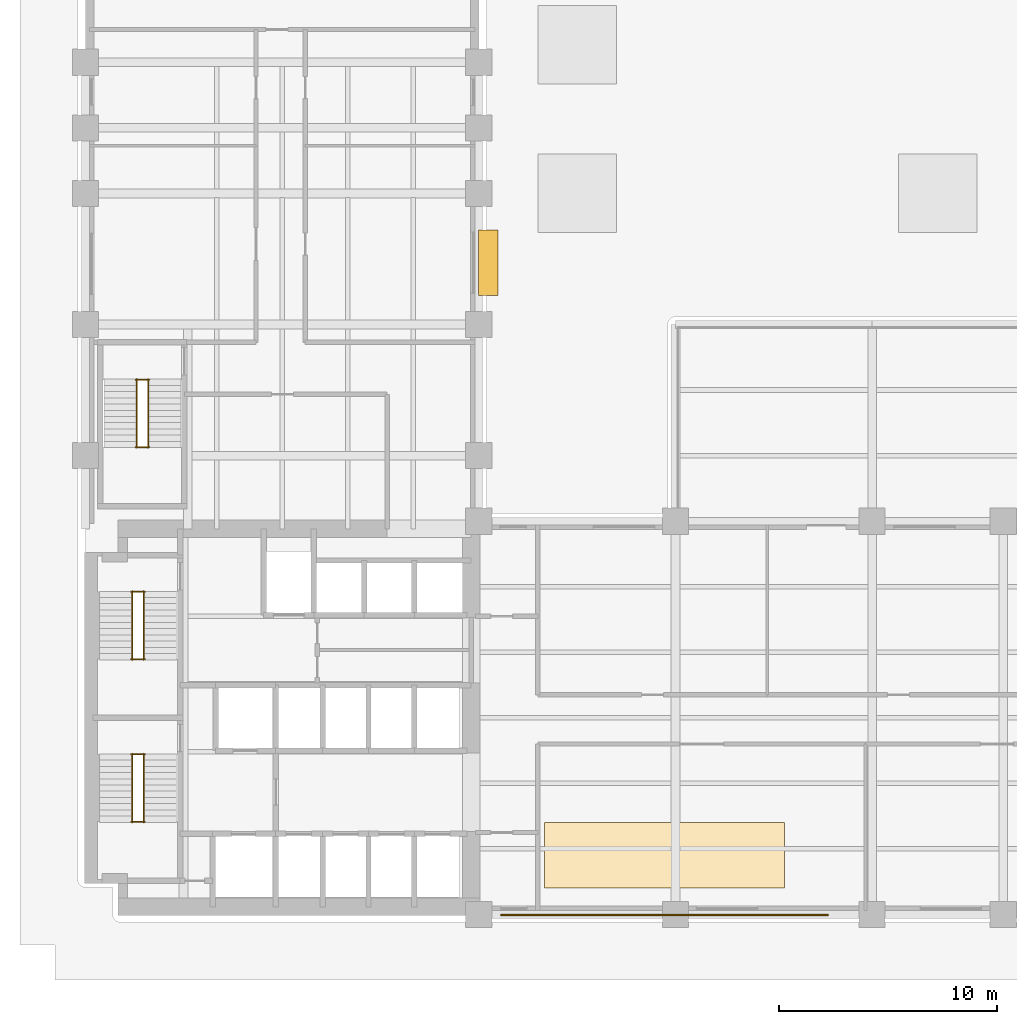
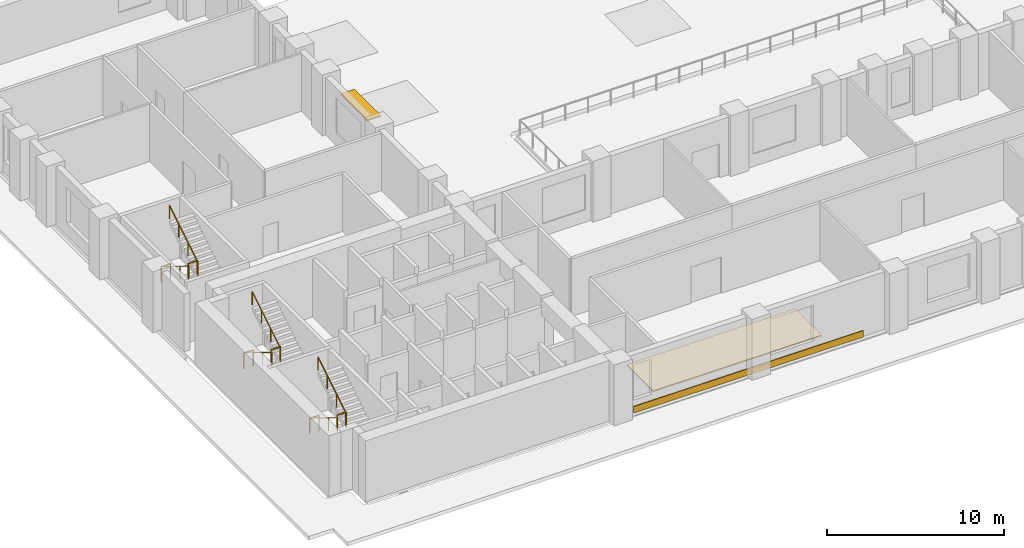
# One storey, part 8 of 9: 12 railings, 2 coverings, 1 shading device.
"""IFC4 building model written with IfcOpenShell, lengths in metres."""

import ifcopenshell
import ifcopenshell.guid

model = None  # the IFC model being written
_history = None  # IfcOwnerHistory: only IFC2X3 demands one
_inside = {}  # id of a spatial element -> (the spatial element, [elements in it])
_under = {}  # id of a project, library or spatial element -> (it, [spatial elements below it])
_declared = {}  # id of a project -> (the project, [libraries it declares])
_typed = {}  # id of a type object -> (the type object, [elements of that type])
_made_of = {}  # id of a material, layer set ... -> (it, [elements and type objects made of it])


def new_model(schema):
    """Start an empty IFC model of exactly this schema.

    Asked for "IFC4X3", IfcOpenShell would pick the latest addendum, in which some entities
    have other attributes; the version numbers below select the first issue.
    IFC2X3 requires an IfcOwnerHistory on every rooted entity: one is made here for all.
    """
    global model, _history
    if schema == "IFC4X3":
        model = ifcopenshell.file(schema_version=(4, 3, 0, 0))
    else:
        model = ifcopenshell.file(schema=schema)
    _inside.clear()
    _under.clear()
    _declared.clear()
    _typed.clear()
    _made_of.clear()
    _history = None
    if model.schema == "IFC2X3":
        org = make("IfcOrganization", Name="unknown")
        user = make(
            "IfcPersonAndOrganization",
            ThePerson=make("IfcPerson", FamilyName="unknown"),
            TheOrganization=org,
        )
        app = make(
            "IfcApplication",
            ApplicationDeveloper=org,
            Version="unknown",
            ApplicationFullName="unknown",
            ApplicationIdentifier="unknown",
        )
        _history = make(
            "IfcOwnerHistory",
            OwningUser=user,
            OwningApplication=app,
            ChangeAction="ADDED",
            CreationDate=0,
        )
    return model


def make(cls, **values):
    """One entity of the class cls with the attributes given. An attribute that is None is left unset."""
    return model.create_entity(
        cls, **{name: value for name, value in values.items() if value is not None}
    )


def rooted(cls, **values):
    """An entity with a GlobalId (a new one), such as an element, a storey or a relation."""
    return make(cls, GlobalId=ifcopenshell.guid.new(), OwnerHistory=_history, **values)


def si_unit(unit_type, name, prefix=None):
    """IfcSIUnit, for example si_unit("LENGTHUNIT", "METRE", prefix="MILLI")."""
    return make("IfcSIUnit", UnitType=unit_type, Prefix=prefix, Name=name)


def assignment(units):
    """IfcUnitAssignment: the units of a project."""
    return None if units is None else make("IfcUnitAssignment", Units=units)


def point(xyz):
    """IfcCartesianPoint."""
    return None if xyz is None else make("IfcCartesianPoint", Coordinates=xyz)


def direction(xyz):
    """IfcDirection."""
    return None if xyz is None else make("IfcDirection", DirectionRatios=xyz)


def frame(location, z_axis=None, x_axis=None):
    """IfcAxis2Placement3D, a coordinate frame: its origin and axes. An axis left out is left unset."""
    return make(
        "IfcAxis2Placement3D",
        Location=point(location),
        Axis=direction(z_axis),
        RefDirection=direction(x_axis),
    )


def frame_2d(location, x_axis=None):
    """IfcAxis2Placement2D, a coordinate frame in the plane: its origin and x axis."""
    return make(
        "IfcAxis2Placement2D", Location=point(location), RefDirection=direction(x_axis)
    )


def origin():
    """The frame at (0, 0, 0) with its axes left unset."""
    return frame((0.0, 0.0, 0.0))


def origin_2d():
    """The frame at (0, 0) in the plane with its x axis left unset."""
    return frame_2d((0.0, 0.0))


def place(relative_to, where):
    """IfcLocalPlacement: puts the frame where relative to a parent placement (None: the world)."""
    return make(
        "IfcLocalPlacement", PlacementRelTo=relative_to, RelativePlacement=where
    )


def context(
    kind, dimensions, precision=None, world=None, true_north=None, identifier=None
):
    """IfcGeometricRepresentationContext, for example the 3D "Model" context."""
    return make(
        "IfcGeometricRepresentationContext",
        ContextIdentifier=identifier,
        ContextType=kind,
        CoordinateSpaceDimension=dimensions,
        Precision=precision,
        WorldCoordinateSystem=world,
        TrueNorth=true_north,
    )


def subcontext(parent, identifier, kind, view, scale=None):
    """IfcGeometricRepresentationSubContext, for example "Body" below "Model"."""
    return make(
        "IfcGeometricRepresentationSubContext",
        ContextIdentifier=identifier,
        ContextType=kind,
        ParentContext=parent,
        TargetScale=scale,
        TargetView=view,
    )


def project(units=None, contexts=None):
    """IfcProject with its units and contexts."""
    return rooted(
        "IfcProject",
        Name="project",
        RepresentationContexts=contexts,
        UnitsInContext=assignment(units),
    )


def spatial(cls, under=None, at=None, **own):
    """A site, building, storey or space (cls), placed at a placement, below another one or the project."""
    s = rooted(cls, ObjectPlacement=at, **own)
    if under is not None:
        _under.setdefault(under.id(), (under, []))[1].append(s)
    return s


def polyline(points):
    """IfcPolyline through the points."""
    return make("IfcPolyline", Points=[point(p) for p in points])


def profile(cls, at=None, kind="AREA", **sizes):
    """A parametric profile (cls). Its sizes go by their IFC names, for example OverallWidth=200.0."""
    return make(cls, ProfileType=kind, Position=at, **sizes)


def rectangle(**sizes):
    """IfcRectangleProfileDef."""
    return profile("IfcRectangleProfileDef", **sizes)


def circle(**sizes):
    """IfcCircleProfileDef."""
    return profile("IfcCircleProfileDef", **sizes)


def outline(outer, holes=None, kind="AREA"):
    """IfcArbitraryClosedProfileDef: a profile drawn as a closed curve; with holes, ...WithVoids."""
    if holes is None:
        return make("IfcArbitraryClosedProfileDef", ProfileType=kind, OuterCurve=outer)
    return make(
        "IfcArbitraryProfileDefWithVoids",
        ProfileType=kind,
        OuterCurve=outer,
        InnerCurves=holes,
    )


def extrude(swept, where, along, depth):
    """IfcExtrudedAreaSolid: the profile swept, set in the frame where, extruded along a direction by depth."""
    return make(
        "IfcExtrudedAreaSolid",
        SweptArea=swept,
        Position=where,
        ExtrudedDirection=direction(along),
        Depth=depth,
    )


def shape(context_of_items, identifier, shape_type, items):
    """IfcShapeRepresentation: the items that make up one representation, for example the "Body"."""
    return make(
        "IfcShapeRepresentation",
        ContextOfItems=context_of_items,
        RepresentationIdentifier=identifier,
        RepresentationType=shape_type,
        Items=items,
    )


def material(Name=None, Category=None):
    """IfcMaterial."""
    return make("IfcMaterial", Name=Name, Category=Category)


def layer(
    of_material, thickness, ventilated=None, Name=None, Category=None, Priority=None
):
    """IfcMaterialLayer: one layer of a wall or slab, of a material (None: an air gap)."""
    return make(
        "IfcMaterialLayer",
        Material=of_material,
        LayerThickness=thickness,
        IsVentilated=ventilated,
        Name=Name,
        Category=Category,
        Priority=Priority,
    )


def layer_set(layers, Name=None):
    """IfcMaterialLayerSet."""
    return make("IfcMaterialLayerSet", MaterialLayers=layers, LayerSetName=Name)


def made_of(thing, what):
    """Note that an element or type object is made of a material, layer set ...; save() writes the relation."""
    if what is not None:
        _made_of.setdefault(what.id(), (what, []))[1].append(thing)
    return thing


def type_object(cls, material=None, **own):
    """A type object (cls), such as IfcWallType, which elements share."""
    return made_of(rooted(cls, **own), material)


def element(
    cls,
    number,
    at=None,
    inside=None,
    cuts=None,
    type_object=None,
    material=None,
    context=None,
    identifier="Body",
    shape_type=None,
    held_by="IfcProductDefinitionShape",
    body=None,
    shapes=None,
    **own,
):
    """One element of the class cls, such as IfcWall. Its Tag is "e" and its number.

    at: its placement. inside: the storey or other place that contains it. cuts: it is an
    opening in that element (IfcRelVoidsElement). A single representation is given by context,
    identifier, shape_type and body (its items); several are given by shapes. held_by: the class
    of the entity that holds the representations. save() writes the other relations.
    """
    e = rooted(cls, Tag="e%d" % number, ObjectPlacement=at, **own)
    if body is not None:
        shapes = [shape(context, identifier, shape_type, body)]
    if shapes is not None:
        e.Representation = make(held_by, Representations=shapes)
    if inside is not None:
        _inside.setdefault(inside.id(), (inside, []))[1].append(e)
    if cuts is not None:
        rooted(
            "IfcRelVoidsElement", RelatingBuildingElement=cuts, RelatedOpeningElement=e
        )
    if type_object is not None:
        _typed.setdefault(type_object.id(), (type_object, []))[1].append(e)
    return made_of(e, material)


def aggregate(whole, parts):
    """IfcRelAggregates: a whole, such as a stair, and the parts it consists of."""
    return rooted("IfcRelAggregates", RelatingObject=whole, RelatedObjects=parts)


def save(model, path):
    """Write the relations noted so far, then the file.

    IfcRelAggregates (storeys below a building ...), IfcRelContainedInSpatialStructure (elements
    in a storey), IfcRelDefinesByType, IfcRelAssociatesMaterial and IfcRelDeclares: one each for
    every whole, place, type object, material and project.
    """
    for whole, parts in _under.values():
        aggregate(whole, parts)
    for where, things in _inside.values():
        rooted(
            "IfcRelContainedInSpatialStructure",
            RelatedElements=things,
            RelatingStructure=where,
        )
    for kind, things in _typed.values():
        rooted("IfcRelDefinesByType", RelatedObjects=things, RelatingType=kind)
    for what, things in _made_of.values():
        rooted("IfcRelAssociatesMaterial", RelatedObjects=things, RelatingMaterial=what)
    for by, libraries in _declared.values():
        rooted("IfcRelDeclares", RelatingContext=by, RelatedDefinitions=libraries)
    model.write(path)


model = new_model("IFC4")

# Units and contexts
model_context = context("Model", 3, precision=1e-05, world=origin(), true_north=direction((0.0, 1.0)))
body_context = subcontext(model_context, "Body", "Model", "MODEL_VIEW")
ifc_project = project(units=[si_unit("LENGTHUNIT", "METRE"), si_unit("AREAUNIT", "SQUARE_METRE"), si_unit("VOLUMEUNIT", "CUBIC_METRE"), si_unit("PLANEANGLEUNIT", "RADIAN"), si_unit("MASSUNIT", "GRAM", prefix="KILO")], contexts=[model_context])

# Site, building, storey
site_placement = place(None, origin())
site = spatial("IfcSite", under=ifc_project, at=site_placement, CompositionType="ELEMENT")
building_placement = place(site_placement, origin())
building = spatial("IfcBuilding", under=site, at=building_placement, Name="Mawjdan Bourse Tower", CompositionType="ELEMENT")
storey_placement = place(building_placement, frame((0.0, 0.0, 21.60009765625)))
storey = spatial("IfcBuildingStorey", under=building, at=storey_placement, Name="L04", CompositionType="ELEMENT", Elevation=21.60009765625)

# Coverings
ifc_material_1 = material(Name="Honed Qatari Limestone Coping", Category="masonry")
ifc_layer_1 = layer(ifc_material_1, 0.054931640625)
ifc_layer_set_1 = layer_set([ifc_layer_1], Name="Honed Qatari Limestone Coping")
covering_type_1 = type_object("IfcCoveringType", Name="COV-CLD-SPN", PredefinedType="CLADDING", material=ifc_layer_set_1)
covering_1_placement = place(storey_placement, origin())
element("IfcCovering", 1, at=covering_1_placement, inside=storey, type_object=covering_type_1, Name="L04 Limestone Spandrel Coping Trim", PredefinedType="CLADDING", context=body_context, shape_type="SweptSolid", body=[
    extrude(outline(polyline([(25.0, 2.949951171875), (40.0, 2.949951171875), (40.0, 3.010009765625), (25.0, 3.010009765625), (25.0, 2.949951171875)])), origin(), (0.0, 0.0, 1.0), 0.449951171875),
])
ifc_material_2 = material(Name="Calcium Sulphate Antistatic Raised Floor Tile")
ifc_layer_2 = layer(ifc_material_2, 0.080078125)
ifc_layer_set_2 = layer_set([ifc_layer_2], Name="Calcium Sulphate Antistatic Raised Floor Tile")
covering_type_2 = type_object("IfcCoveringType", Name="COV-FLR-450", PredefinedType="FLOORING", material=ifc_layer_set_2)
covering_2_placement = place(storey_placement, origin())
element("IfcCovering", 2, at=covering_2_placement, inside=storey, type_object=covering_type_2, Name="L04 Antistatic Raised Access Trading Floor", PredefinedType="FLOORING", context=body_context, shape_type="SweptSolid", body=[
    extrude(outline(polyline([(27.0, 4.199951171875), (38.0, 4.199951171875), (38.0, 7.199951171875), (27.0, 7.199951171875), (27.0, 4.199951171875)])), origin(), (0.0, 0.0, 1.0), 0.079833984375),
])

# Railings
ifc_material_3 = material(Name="Structural Steel S355", Category="steel")
railing_type_1 = type_object("IfcRailingType", Name="RLG-GRD-1100", PredefinedType="GUARDRAIL", material=ifc_material_3)
for number, where, name in (
    (3, (8.090087890625, 7.235107421875, 2.099853515625), "L04 ST1 Landing Guardrail GL-MID"),
    (4, (8.090087890625, 10.330078125, 0.0), "L04 ST1 Landing Guardrail GL-BOT"),
    (5, (8.090087890625, 14.675048828125, 2.099853515625), "L04 ST2 Landing Guardrail GL-MID"),
    (6, (8.090087890625, 17.77001953125, 0.0), "L04 ST2 Landing Guardrail GL-BOT"),
    (7, (8.2900390625, 24.385009765625, 2.099853515625), "L04 ST3 Landing Guardrail GL-MID"),
    (8, (8.2900390625, 27.47998046875, 0.0), "L04 ST3 Landing Guardrail GL-BOT"),
):
    element("IfcRailing", number, at=place(storey_placement, frame(where)), inside=storey, type_object=railing_type_1, Name=name, PredefinedType="GUARDRAIL", context=body_context, shape_type="SweptSolid", body=[
        extrude(circle(Radius=0.02490234375, at=origin_2d()), frame((0.0, 0.0, 1.0751953125), z_axis=(1.0, 0.0, 0.0), x_axis=(0.0, 1.0, 0.0)), (0.0, 0.0, 1.0), 0.619873046875),
        extrude(circle(Radius=0.02099609375, at=origin_2d()), origin(), (0.0, 0.0, 1.0), 1.050048828125),
        extrude(circle(Radius=0.02099609375, at=origin_2d()), frame((0.619873046875, 0.0, 0.0)), (0.0, 0.0, 1.0), 1.050048828125),
    ])
ifc_material_4 = material(Name="Brushed Stainless Steel", Category="steel")
railing_type_2 = type_object("IfcRailingType", Name="RLG-HND-920", PredefinedType="HANDRAIL", material=ifc_material_4)
railing_1_placement = place(storey_placement, frame((8.139892578125, 10.35009765625, 0.1748046875)))
element("IfcRailing", 9, at=railing_1_placement, inside=storey, type_object=railing_type_2, Name="L04 ST1 Flight Handrail HR1", PredefinedType="HANDRAIL", context=body_context, shape_type="SweptSolid", body=[
    extrude(circle(Radius=0.0224609375, at=origin_2d()), frame((0.0, 0.0, 0.8974609375), z_axis=(0.0, -0.852166034122, 0.523271488128), x_axis=(1.0, 0.0, 0.0)), (0.0, 0.0, 1.0), 3.678955078125),
    extrude(circle(Radius=0.01904296875, at=origin_2d()), origin(), (0.0, 0.0, 1.0), 0.875),
    extrude(circle(Radius=0.01904296875, at=origin_2d()), frame((0.0, -1.044921875, 0.6416015625)), (0.0, 0.0, 1.0), 0.875),
    extrude(circle(Radius=0.01904296875, at=origin_2d()), frame((0.0, -2.090087890625, 1.283447265625)), (0.0, 0.0, 1.0), 0.875),
    extrude(circle(Radius=0.01904296875, at=origin_2d()), frame((0.0, -3.135009765625, 1.925048828125)), (0.0, 0.0, 1.0), 0.875),
])
railing_2_placement = place(storey_placement, frame((8.659912109375, 7.215087890625, 2.27490234375)))
element("IfcRailing", 10, at=railing_2_placement, inside=storey, type_object=railing_type_2, Name="L04 ST1 Flight Handrail HR2", PredefinedType="HANDRAIL", context=body_context, shape_type="SweptSolid", body=[
    extrude(circle(Radius=0.0224609375, at=origin_2d()), frame((0.0, 0.0, 0.8974609375), z_axis=(0.0, 0.852166034122, 0.523271488128), x_axis=(-1.0, 0.0, 0.0)), (0.0, 0.0, 1.0), 3.678955078125),
    extrude(circle(Radius=0.01904296875, at=origin_2d()), origin(), (0.0, 0.0, 1.0), 0.875),
    extrude(circle(Radius=0.01904296875, at=origin_2d()), frame((0.0, 1.044921875, 0.6416015625)), (0.0, 0.0, 1.0), 0.875),
    extrude(circle(Radius=0.01904296875, at=origin_2d()), frame((0.0, 2.090087890625, 1.283447265625)), (0.0, 0.0, 1.0), 0.875),
    extrude(circle(Radius=0.01904296875, at=origin_2d()), frame((0.0, 3.135009765625, 1.925048828125)), (0.0, 0.0, 1.0), 0.875),
])
railing_3_placement = place(storey_placement, frame((8.139892578125, 17.7900390625, 0.1748046875)))
element("IfcRailing", 11, at=railing_3_placement, inside=storey, type_object=railing_type_2, Name="L04 ST2 Flight Handrail HR1", PredefinedType="HANDRAIL", context=body_context, shape_type="SweptSolid", body=[
    extrude(circle(Radius=0.0224609375, at=origin_2d()), frame((0.0, 0.0, 0.8974609375), z_axis=(0.0, -0.852166034122, 0.523271488128), x_axis=(1.0, 0.0, 0.0)), (0.0, 0.0, 1.0), 3.678955078125),
    extrude(circle(Radius=0.01904296875, at=origin_2d()), origin(), (0.0, 0.0, 1.0), 0.875),
    extrude(circle(Radius=0.01904296875, at=origin_2d()), frame((0.0, -1.044921875, 0.6416015625)), (0.0, 0.0, 1.0), 0.875),
    extrude(circle(Radius=0.01904296875, at=origin_2d()), frame((0.0, -2.090087890625, 1.283447265625)), (0.0, 0.0, 1.0), 0.875),
    extrude(circle(Radius=0.01904296875, at=origin_2d()), frame((0.0, -3.135009765625, 1.925048828125)), (0.0, 0.0, 1.0), 0.875),
])
railing_4_placement = place(storey_placement, frame((8.659912109375, 14.655029296875, 2.27490234375)))
element("IfcRailing", 12, at=railing_4_placement, inside=storey, type_object=railing_type_2, Name="L04 ST2 Flight Handrail HR2", PredefinedType="HANDRAIL", context=body_context, shape_type="SweptSolid", body=[
    extrude(circle(Radius=0.0224609375, at=origin_2d()), frame((0.0, 0.0, 0.8974609375), z_axis=(0.0, 0.852166034122, 0.523271488128), x_axis=(-1.0, 0.0, 0.0)), (0.0, 0.0, 1.0), 3.678955078125),
    extrude(circle(Radius=0.01904296875, at=origin_2d()), origin(), (0.0, 0.0, 1.0), 0.875),
    extrude(circle(Radius=0.01904296875, at=origin_2d()), frame((0.0, 1.044921875, 0.6416015625)), (0.0, 0.0, 1.0), 0.875),
    extrude(circle(Radius=0.01904296875, at=origin_2d()), frame((0.0, 2.090087890625, 1.283447265625)), (0.0, 0.0, 1.0), 0.875),
    extrude(circle(Radius=0.01904296875, at=origin_2d()), frame((0.0, 3.135009765625, 1.925048828125)), (0.0, 0.0, 1.0), 0.875),
])
railing_5_placement = place(storey_placement, frame((8.340087890625, 27.5, 0.1748046875)))
element("IfcRailing", 13, at=railing_5_placement, inside=storey, type_object=railing_type_2, Name="L04 ST3 Flight Handrail HR1", PredefinedType="HANDRAIL", context=body_context, shape_type="SweptSolid", body=[
    extrude(circle(Radius=0.0224609375, at=origin_2d()), frame((0.0, 0.0, 0.8974609375), z_axis=(0.0, -0.852166034122, 0.523271488128), x_axis=(1.0, 0.0, 0.0)), (0.0, 0.0, 1.0), 3.678955078125),
    extrude(circle(Radius=0.01904296875, at=origin_2d()), origin(), (0.0, 0.0, 1.0), 0.875),
    extrude(circle(Radius=0.01904296875, at=origin_2d()), frame((0.0, -1.044921875, 0.6416015625)), (0.0, 0.0, 1.0), 0.875),
    extrude(circle(Radius=0.01904296875, at=origin_2d()), frame((0.0, -2.090087890625, 1.283447265625)), (0.0, 0.0, 1.0), 0.875),
    extrude(circle(Radius=0.01904296875, at=origin_2d()), frame((0.0, -3.135009765625, 1.925048828125)), (0.0, 0.0, 1.0), 0.875),
])
railing_6_placement = place(storey_placement, frame((8.860107421875, 24.364990234375, 2.27490234375)))
element("IfcRailing", 14, at=railing_6_placement, inside=storey, type_object=railing_type_2, Name="L04 ST3 Flight Handrail HR2", PredefinedType="HANDRAIL", context=body_context, shape_type="SweptSolid", body=[
    extrude(circle(Radius=0.0224609375, at=origin_2d()), frame((0.0, 0.0, 0.8974609375), z_axis=(0.0, 0.852166034122, 0.523271488128), x_axis=(-1.0, 0.0, 0.0)), (0.0, 0.0, 1.0), 3.678955078125),
    extrude(circle(Radius=0.01904296875, at=origin_2d()), origin(), (0.0, 0.0, 1.0), 0.875),
    extrude(circle(Radius=0.01904296875, at=origin_2d()), frame((0.0, 1.044921875, 0.6416015625)), (0.0, 0.0, 1.0), 0.875),
    extrude(circle(Radius=0.01904296875, at=origin_2d()), frame((0.0, 2.090087890625, 1.283447265625)), (0.0, 0.0, 1.0), 0.875),
    extrude(circle(Radius=0.01904296875, at=origin_2d()), frame((0.0, 3.135009765625, 1.925048828125)), (0.0, 0.0, 1.0), 0.875),
])

# Shading device
ifc_material_5 = material(Name="Bronze Anodised Aluminium", Category="aluminium")
ifc_layer_3 = layer(ifc_material_5, 0.0849609375)
ifc_layer_set_3 = layer_set([ifc_layer_3], Name="Bronze Anodised Aluminium")
shading_device_type = type_object("IfcShadingDeviceType", Name="SHD-SUN-900", PredefinedType="USERDEFINED", material=ifc_layer_set_3)
shading_device_placement = place(storey_placement, frame((24.429931640625, 32.833251953125, 3.2998046875), z_axis=(0.0, 0.0, 1.0), x_axis=(0.0, 1.0, 0.0)))
element("IfcShadingDevice", 15, at=shading_device_placement, inside=storey, type_object=shading_device_type, Name="L04 Solar Window Hood 03", ObjectType="SUNSHADE", PredefinedType="USERDEFINED", context=body_context, shape_type="SweptSolid", body=[
    extrude(rectangle(XDim=3.0, YDim=0.89990234375, at=origin_2d()), origin(), (0.0, 0.0, 1.0), 0.0849609375),
])

save(model, "model.ifc")
